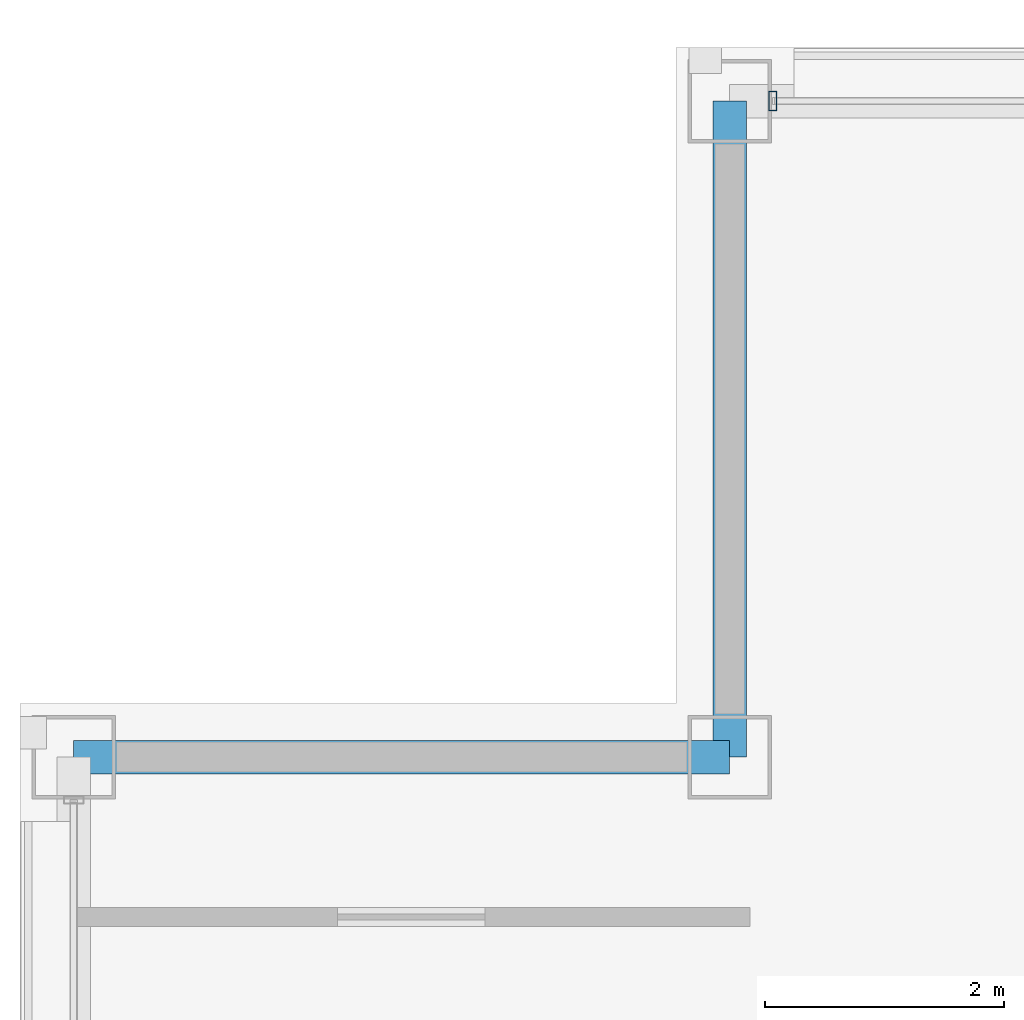
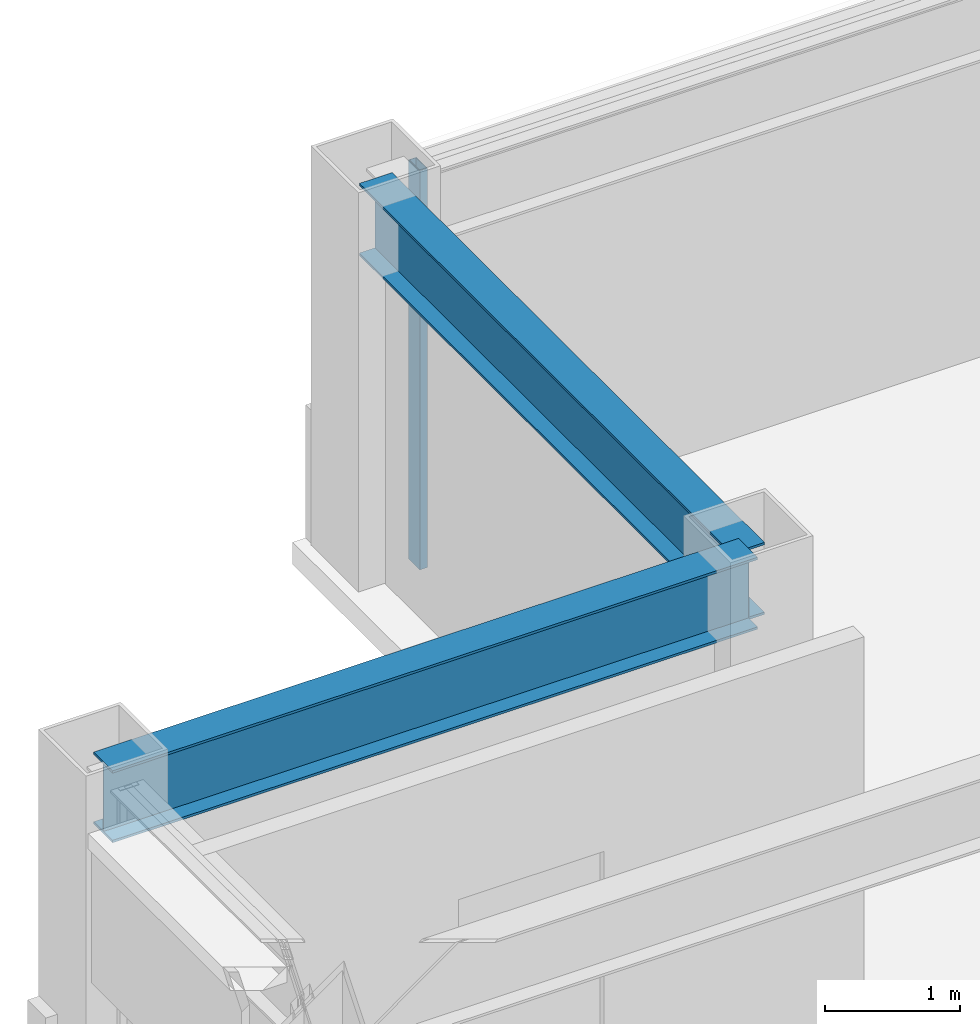
# One storey, part 19 of 30: 2 beams, 1 member, 1 element without a shape of its own.
"""IFC4 building model written with IfcOpenShell, lengths in metres."""

from ifc_helpers import new_model, si_unit, direction, frame, origin, origin_2d, place, context, subcontext, project, spatial, hollow_rectangle, i_section, extrude, material, layer, layer_set, material_profile, profile_set, type_object, element, aggregate, save


model = new_model("IFC4")

# Units and contexts
model_context = context("Model", 3, precision=1e-05, world=origin(), true_north=direction((0.0, 1.0)))
body_context = subcontext(model_context, "Body", "Model", "MODEL_VIEW")
ifc_project = project(units=[si_unit("LENGTHUNIT", "METRE"), si_unit("AREAUNIT", "SQUARE_METRE"), si_unit("VOLUMEUNIT", "CUBIC_METRE"), si_unit("PLANEANGLEUNIT", "RADIAN"), si_unit("MASSUNIT", "GRAM", prefix="KILO")], contexts=[model_context])

# Site, building, storey
site_placement = place(None, origin())
site = spatial("IfcSite", under=ifc_project, at=site_placement, CompositionType="ELEMENT")
building_placement = place(site_placement, origin())
building = spatial("IfcBuilding", under=site, at=building_placement, Name="Brelmoor Portico Tower", CompositionType="ELEMENT")
storey_placement = place(building_placement, frame((0.0, 0.0, 198.300048828125)))
storey = spatial("IfcBuildingStorey", under=building, at=storey_placement, Name="L52", CompositionType="ELEMENT", Elevation=198.300048828125)

# Beams
ifc_material_1 = material(Name="Steel Q355B", Category="steel")
ifc_material_profile_1 = material_profile(ifc_material_1, i_section(OverallWidth=0.280029296875, OverallDepth=0.64990234375, WebThickness=0.012939453125, FlangeThickness=0.02197265625, at=origin_2d()), Name="HN 650x280x13x22")
ifc_profile_set_1 = profile_set([ifc_material_profile_1], Name="Steel Q355B")
beam_type = type_object("IfcBeamType", Name="BM-SP-650", PredefinedType="SPANDREL", material=ifc_profile_set_1)
for number, where, z_axis, x_axis, name in (
    (1, (-20.550048828125, 13.050048828125, 3.074951171875), (1.0, 0.0, 0.0), (0.0, 1.0, 0.0), "L52 Perimeter Spandrel Beam SP-06"),
    (2, (-15.050048828125, 13.050048828125, 3.074951171875), (0.0, 1.0, 0.0), (-1.0, 0.0, 0.0), "L52 Perimeter Spandrel Beam SP-15"),
):
    element("IfcBeam", number, at=place(storey_placement, frame(where, z_axis=z_axis, x_axis=x_axis)), inside=storey, type_object=beam_type, Name=name, PredefinedType="SPANDREL", context=body_context, shape_type="SweptSolid", body=[
        extrude(i_section(OverallWidth=0.280029296875, OverallDepth=0.64990234375, WebThickness=0.012939453125, FlangeThickness=0.02197265625, at=origin_2d()), origin(), (0.0, 0.0, 1.0), 5.5),
    ])

# Curtain wall, member
ifc_material_2 = material(Name="Anodised Aluminium Alloy 6063-T6", Category="aluminium")
ifc_layer = layer(ifc_material_2, 0.179931640625)
ifc_layer_set = layer_set([ifc_layer], Name="Anodised Aluminium Alloy 6063-T6")
curtain_wall_type = type_object("IfcCurtainWallType", Name="CW-TOWER-Z3-XB", PredefinedType="NOTDEFINED", material=ifc_layer_set)
curtain_wall_placement = place(storey_placement, origin())
curtain_wall = element("IfcCurtainWall", 3, at=curtain_wall_placement, inside=storey, type_object=curtain_wall_type, Name="L52 Curtain Wall CW-L52-02-1", PredefinedType="NOTDEFINED")
ifc_material_profile_2 = material_profile(ifc_material_2, hollow_rectangle(XDim=0.06494140625, YDim=0.1650390625, WallThickness=0.00390625, at=origin_2d()), Name="ALU MULLION 65x165")
ifc_profile_set_2 = profile_set([ifc_material_profile_2], Name="Anodised Aluminium Alloy 6063-T6")
member_type = type_object("IfcMemberType", Name="MB-CW-MULL-165", PredefinedType="MULLION", material=ifc_profile_set_2)
member_placement = place(storey_placement, frame((-14.68994140625, 18.550048828125, -0.199951171875), z_axis=(0.0, 0.0, 1.0), x_axis=(1.0, 0.0, 0.0)))
member = element("IfcMember", 4, at=member_placement, type_object=member_type, Name="CW-L52-02-1 Mullion 00", PredefinedType="MULLION", context=body_context, shape_type="SweptSolid", body=[
    extrude(hollow_rectangle(XDim=0.06494140625, YDim=0.1650390625, WallThickness=0.00390625, at=origin_2d()), origin(), (0.0, 0.0, 1.0), 3.599853515625),
])
aggregate(curtain_wall, [member])

save(model, "model.ifc")
